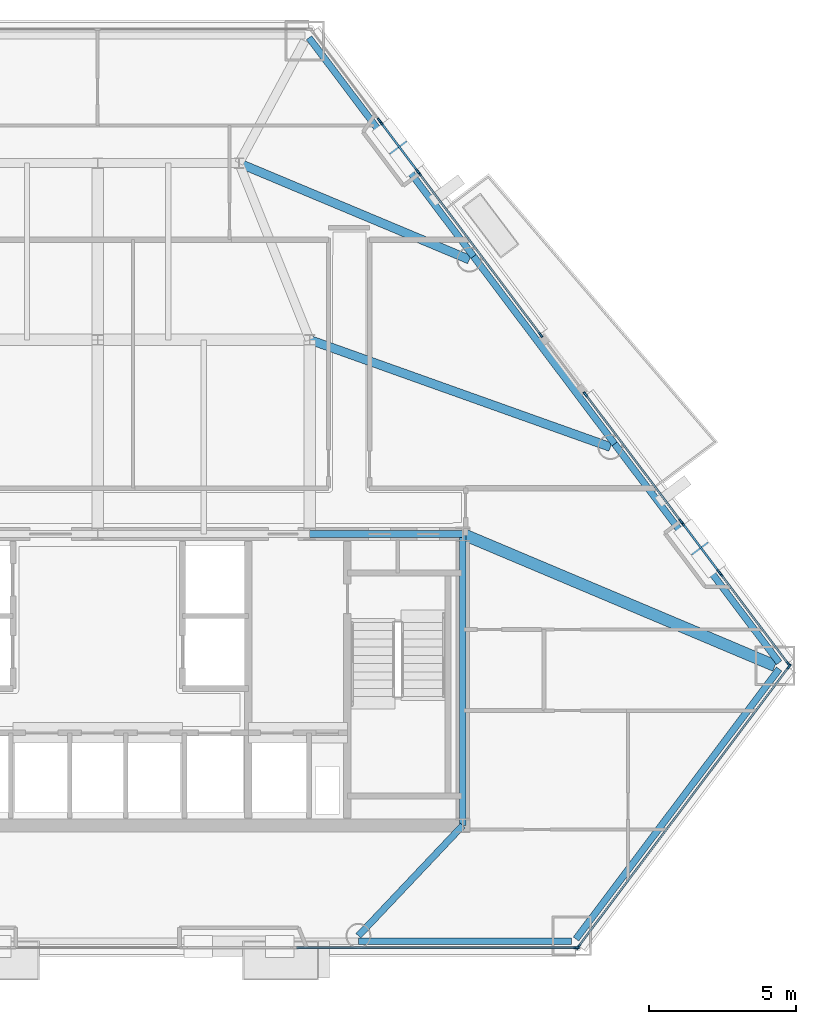
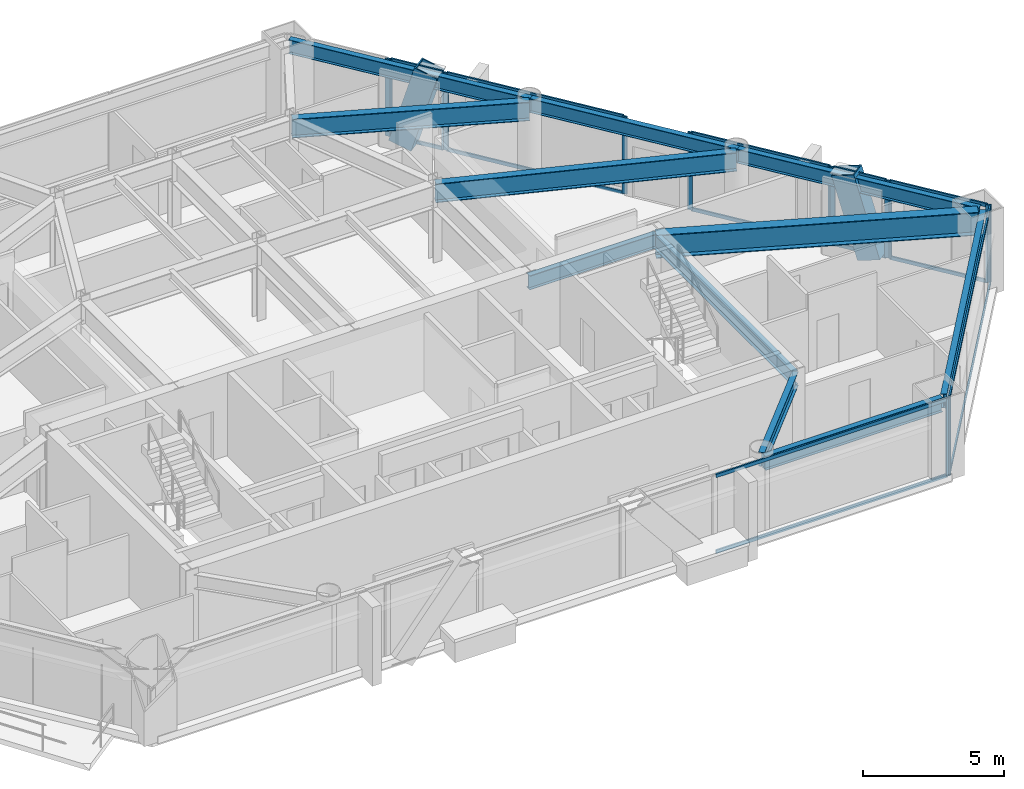
# One storey, part 4 of 11: 30 members, 11 beams, 8 elements without a shape of their own.
"""IFC4 building model written with IfcOpenShell, lengths in metres."""

from ifc_helpers import new_model, si_unit, direction, frame, origin, origin_2d, place, context, subcontext, project, spatial, rectangle, hollow_rectangle, i_section, extrude, material, layer, layer_set, material_profile, profile_set, type_object, element, aggregate, save


model = new_model("IFC4")

# Units and contexts
model_context = context("Model", 3, precision=1e-05, world=origin(), true_north=direction((0.0, 1.0)))
body_context = subcontext(model_context, "Body", "Model", "MODEL_VIEW")
ifc_project = project(units=[si_unit("LENGTHUNIT", "METRE"), si_unit("AREAUNIT", "SQUARE_METRE"), si_unit("VOLUMEUNIT", "CUBIC_METRE"), si_unit("PLANEANGLEUNIT", "RADIAN"), si_unit("MASSUNIT", "GRAM", prefix="KILO")], contexts=[model_context])

# Site, building, storey
site_placement = place(None, origin())
site = spatial("IfcSite", under=ifc_project, at=site_placement, CompositionType="ELEMENT")
building_placement = place(site_placement, origin())
building = spatial("IfcBuilding", under=site, at=building_placement, Name="Talgorran Terracotta Tower", CompositionType="ELEMENT")
storey_placement = place(building_placement, frame((0.0, 0.0, 68.39990234375)))
storey = spatial("IfcBuildingStorey", under=building, at=storey_placement, Name="L17", CompositionType="ELEMENT", Elevation=68.39990234375)

# Beams
ifc_material_1 = material(Name="Steel Grade 350 (350L0)", Category="steel")
ifc_material_profile_1 = material_profile(ifc_material_1, i_section(OverallWidth=0.39990234375, OverallDepth=1.0, WebThickness=0.01611328125, FlangeThickness=0.031005859375, at=origin_2d()), Name="1000WB296")
ifc_profile_set_1 = profile_set([ifc_material_profile_1], Name="Steel Grade 350 (350L0)")
beam_type_1 = type_object("IfcBeamType", Name="BM_1000WB296", PredefinedType="BEAM", material=ifc_profile_set_1)
beam_1_placement = place(storey_placement, frame((12.39990234375, -4.199951171875, 2.85009765625), z_axis=(0.921400833848, -0.388613565619, 0.0), x_axis=(0.388613565619, 0.921400833848, 0.0)))
element("IfcBeam", 1, at=beam_1_placement, inside=storey, type_object=beam_type_1, Name="L17 Floor Girder G18", PredefinedType="BEAM", context=body_context, shape_type="SweptSolid", body=[
    extrude(i_section(OverallWidth=0.39990234375, OverallDepth=1.0, WebThickness=0.01611328125, FlangeThickness=0.031005859375, at=origin_2d()), origin(), (0.0, 0.0, 1.0), 11.510009765625),
])
ifc_material_2 = material(Name="Steel S355 (300PLUS)", Category="steel")
ifc_material_profile_2 = material_profile(ifc_material_2, i_section(OverallWidth=0.300048828125, OverallDepth=0.81591796875, WebThickness=0.013916015625, FlangeThickness=0.028076171875, at=origin_2d()), Name="800WB192")
ifc_profile_set_2 = profile_set([ifc_material_profile_2], Name="Steel S355 (300PLUS)")
beam_type_2 = type_object("IfcBeamType", Name="BM_800WB192", PredefinedType="BEAM", material=ifc_profile_set_2)
beam_2_placement = place(storey_placement, frame((7.199951171875, 2.39990234375, 2.942138671875), z_axis=(0.941876792617, -0.335958490783, 0.0), x_axis=(0.335958490783, 0.941876792617, 0.0)))
element("IfcBeam", 2, at=beam_2_placement, inside=storey, type_object=beam_type_2, Name="L17 Floor Girder G07", PredefinedType="BEAM", context=body_context, shape_type="SweptSolid", body=[
    extrude(i_section(OverallWidth=0.300048828125, OverallDepth=0.81591796875, WebThickness=0.013916015625, FlangeThickness=0.028076171875, at=origin_2d()), origin(), (0.0, 0.0, 1.0), 10.845947265625),
])
beam_3_placement = place(storey_placement, frame((4.800048828125, 8.39990234375, 2.942138671875), z_axis=(0.922404506717, -0.386225227023, 0.0), x_axis=(0.386225227023, 0.922404506717, 0.0)))
element("IfcBeam", 3, at=beam_3_placement, inside=storey, type_object=beam_type_2, Name="L17 Floor Girder G14", PredefinedType="BEAM", context=body_context, shape_type="SweptSolid", body=[
    extrude(i_section(OverallWidth=0.300048828125, OverallDepth=0.81591796875, WebThickness=0.013916015625, FlangeThickness=0.028076171875, at=origin_2d()), origin(), (0.0, 0.0, 1.0), 8.482421875),
])
ifc_material_profile_3 = material_profile(ifc_material_2, i_section(OverallWidth=0.22900390625, OverallDepth=0.611572265625, WebThickness=0.011962890625, FlangeThickness=0.01953125, at=origin_2d()), Name="610UB125")
ifc_profile_set_3 = profile_set([ifc_material_profile_3], Name="Steel S355 (300PLUS)")
beam_type_3 = type_object("IfcBeamType", Name="BM_SP_610UB125", PredefinedType="SPANDREL", material=ifc_profile_set_3)
beam_4_placement = place(storey_placement, frame((8.8564453125, -18.026611328125, 3.044189453125), z_axis=(1.0, 0.0, 0.0), x_axis=(0.0, 1.0, 0.0)))
element("IfcBeam", 4, at=beam_4_placement, inside=storey, type_object=beam_type_3, Name="L17 Perimeter Spandrel Beam FC2-MC3", PredefinedType="SPANDREL", context=body_context, shape_type="SweptSolid", body=[
    extrude(i_section(OverallWidth=0.22900390625, OverallDepth=0.611572265625, WebThickness=0.011962890625, FlangeThickness=0.01953125, at=origin_2d()), origin(), (0.0, 0.0, 1.0), 7.24609375),
])
beam_5_placement = place(storey_placement, frame((16.246337890625, -17.954833984375, 3.044189453125), z_axis=(0.601237780209, 0.799070166913, 0.0), x_axis=(-0.799070166913, 0.601237780209, 0.0)))
element("IfcBeam", 5, at=beam_5_placement, inside=storey, type_object=beam_type_3, Name="L17 Perimeter Spandrel Beam MC3-MC4", PredefinedType="SPANDREL", context=body_context, shape_type="SweptSolid", body=[
    extrude(i_section(OverallWidth=0.22900390625, OverallDepth=0.611572265625, WebThickness=0.011962890625, FlangeThickness=0.01953125, at=origin_2d()), origin(), (0.0, 0.0, 1.0), 11.480712890625),
])
beam_6_placement = place(storey_placement, frame((23.14892578125, -8.564697265625, 3.044189453125), z_axis=(-0.601217758064, 0.799085231617, 0.0), x_axis=(-0.799085231617, -0.601217758064, 0.0)))
element("IfcBeam", 6, at=beam_6_placement, inside=storey, type_object=beam_type_3, Name="L17 Perimeter Spandrel Beam MC4-FC3", PredefinedType="SPANDREL", context=body_context, shape_type="SweptSolid", body=[
    extrude(i_section(OverallWidth=0.22900390625, OverallDepth=0.611572265625, WebThickness=0.011962890625, FlangeThickness=0.01953125, at=origin_2d()), origin(), (0.0, 0.0, 1.0), 9.297119140625),
])
beam_7_placement = place(storey_placement, frame((17.559326171875, -1.135498046875, 3.044189453125), z_axis=(-0.601259066115, 0.799054150489, 0.0), x_axis=(-0.799054150489, -0.601259066115, 0.0)))
element("IfcBeam", 7, at=beam_7_placement, inside=storey, type_object=beam_type_3, Name="L17 Perimeter Spandrel Beam FC3-FC4", PredefinedType="SPANDREL", context=body_context, shape_type="SweptSolid", body=[
    extrude(i_section(OverallWidth=0.22900390625, OverallDepth=0.611572265625, WebThickness=0.011962890625, FlangeThickness=0.01953125, at=origin_2d()), origin(), (0.0, 0.0, 1.0), 7.96875),
])
beam_8_placement = place(storey_placement, frame((12.76806640625, 5.23193359375, 3.044189453125), z_axis=(-0.601247141496, 0.799063123191, 0.0), x_axis=(-0.799063123191, -0.601247141496, 0.0)))
element("IfcBeam", 8, at=beam_8_placement, inside=storey, type_object=beam_type_3, Name="L17 Perimeter Spandrel Beam FC4-MC5", PredefinedType="SPANDREL", context=body_context, shape_type="SweptSolid", body=[
    extrude(i_section(OverallWidth=0.22900390625, OverallDepth=0.611572265625, WebThickness=0.011962890625, FlangeThickness=0.01953125, at=origin_2d()), origin(), (0.0, 0.0, 1.0), 9.297119140625),
])
beam_9_placement = place(storey_placement, frame((12.39990234375, -14.10009765625, 3.044189453125), z_axis=(-0.687137724954, -0.726527182523, 0.0), x_axis=(0.726527182523, -0.687137724954, 0.0)))
element("IfcBeam", 9, at=beam_9_placement, inside=storey, type_object=beam_type_3, Name="L17 South-East Core Tie Beam", PredefinedType="SPANDREL", context=body_context, shape_type="SweptSolid", body=[
    extrude(i_section(OverallWidth=0.22900390625, OverallDepth=0.611572265625, WebThickness=0.011962890625, FlangeThickness=0.01953125, at=origin_2d()), origin(), (0.0, 0.0, 1.0), 5.15673828125),
])
beam_10_placement = place(storey_placement, frame((12.39990234375, -14.10009765625, 3.044189453125), z_axis=(0.0, 1.0, 0.0), x_axis=(-1.0, 0.0, 0.0)))
element("IfcBeam", 10, at=beam_10_placement, inside=storey, type_object=beam_type_3, Name="L17 Core Frame Beam CFE", PredefinedType="SPANDREL", context=body_context, shape_type="SweptSolid", body=[
    extrude(i_section(OverallWidth=0.22900390625, OverallDepth=0.611572265625, WebThickness=0.011962890625, FlangeThickness=0.01953125, at=origin_2d()), origin(), (0.0, 0.0, 1.0), 9.900146484375),
])
beam_11_placement = place(storey_placement, frame((7.199951171875, -4.199951171875, 3.044189453125), z_axis=(1.0, 0.0, 0.0), x_axis=(0.0, 1.0, 0.0)))
element("IfcBeam", 11, at=beam_11_placement, inside=storey, type_object=beam_type_3, Name="L17 Core Frame Beam CFN4", PredefinedType="SPANDREL", context=body_context, shape_type="SweptSolid", body=[
    extrude(i_section(OverallWidth=0.22900390625, OverallDepth=0.611572265625, WebThickness=0.011962890625, FlangeThickness=0.01953125, at=origin_2d()), origin(), (0.0, 0.0, 1.0), 5.199951171875),
])

# Members
ifc_material_profile_4 = material_profile(ifc_material_1, hollow_rectangle(XDim=0.699951171875, YDim=0.89990234375, WallThickness=0.050048828125, at=origin_2d()), Name="WBOX900X700X50")
ifc_profile_set_4 = profile_set([ifc_material_profile_4], Name="Steel Grade 350 (350L0)")
member_type_1 = type_object("IfcMemberType", Name="MB_MEGA_900", PredefinedType="BRACE", material=ifc_profile_set_4)
for number, where, z_axis, x_axis, name in (
    (12, (20.759765625, -5.089599609375, -0.02490234375), (-0.169613959459, 0.225348197153, 0.959400487177), (-0.798972940561, -0.601366976356, 0.0), "L17 Exterior Face Mega-Brace MB-1 (NEL)"),
    (13, (9.910400390625, 9.32958984375, -0.02490234375), (0.169547047501, -0.225350829897, 0.959411695857), (0.799090303411, 0.601211017027, 0.0), "L17 Exterior Face Mega-Brace MB-1 (NEU)"),
):
    element("IfcMember", number, at=place(storey_placement, frame(where, z_axis=z_axis, x_axis=x_axis)), inside=storey, type_object=member_type_1, Name=name, PredefinedType="BRACE", context=body_context, shape_type="SweptSolid", body=[
        extrude(hollow_rectangle(XDim=0.699951171875, YDim=0.89990234375, WallThickness=0.050048828125, at=origin_2d()), origin(), (0.0, 0.0, 1.0), 3.543701171875),
    ])

# Curtain wall, member
ifc_material_3 = material(Name="Unitised Low-E Double Glazing", Category="glass")
ifc_layer = layer(ifc_material_3, 0.199951171875, Name="CW_SYS2_RES_LOW")
ifc_layer_set = layer_set([ifc_layer], Name="Unitised Low-E Double Glazing")
curtain_wall_type = type_object("IfcCurtainWallType", Name="CW_SYS2_RES_LOW", PredefinedType="NOTDEFINED", material=ifc_layer_set)
curtain_wall_1_placement = place(storey_placement, origin())
curtain_wall_1 = element("IfcCurtainWall", 14, at=curtain_wall_1_placement, inside=storey, type_object=curtain_wall_type, Name="CW-L17-F1E", PredefinedType="NOTDEFINED")
ifc_material_4 = material(Name="Architectural Aluminium 6063-T6", Category="aluminium")
ifc_material_profile_5 = material_profile(ifc_material_4, rectangle(XDim=0.06494140625, YDim=0.18505859375, at=origin_2d()), Name="CWM65X185")
ifc_profile_set_5 = profile_set([ifc_material_profile_5], Name="Architectural Aluminium 6063-T6")
member_type_2 = type_object("IfcMemberType", Name="MUL_65X185", PredefinedType="MULLION", material=ifc_profile_set_5)
member_1_placement = place(storey_placement, frame((16.26953125, -18.24658203125, 0.0), z_axis=(0.0, 0.0, 1.0), x_axis=(0.0, 1.0, 0.0)))
member_1 = element("IfcMember", 15, at=member_1_placement, type_object=member_type_2, Name="CW-L17-1E mullion 2", PredefinedType="MULLION", context=body_context, shape_type="SweptSolid", body=[
    extrude(rectangle(XDim=0.06494140625, YDim=0.18505859375, at=origin_2d()), origin(), (0.0, 0.0, 1.0), 3.35009765625),
])

# Curtain wall, members
curtain_wall_2_placement = place(storey_placement, origin())
curtain_wall_2 = element("IfcCurtainWall", 16, at=curtain_wall_2_placement, inside=storey, type_object=curtain_wall_type, Name="CW-L17-F2", PredefinedType="NOTDEFINED")
member_2_placement = place(storey_placement, frame((16.321533203125, -18.220703125, 0.0), z_axis=(0.0, 0.0, 1.0), x_axis=(-0.799066585102, 0.601242540556, 0.0)))
member_2 = element("IfcMember", 17, at=member_2_placement, type_object=member_type_2, Name="CW-L17-2 mullion 1", PredefinedType="MULLION", context=body_context, shape_type="SweptSolid", body=[
    extrude(rectangle(XDim=0.06494140625, YDim=0.18505859375, at=origin_2d()), origin(), (0.0, 0.0, 1.0), 3.35009765625),
])
member_3_placement = place(storey_placement, frame((23.486328125, -8.69873046875, 0.0), z_axis=(0.0, 0.0, 1.0), x_axis=(-0.799066585102, 0.601242540556, 0.0)))
member_3 = element("IfcMember", 18, at=member_3_placement, type_object=member_type_2, Name="CW-L17-2 mullion 2", PredefinedType="MULLION", context=body_context, shape_type="SweptSolid", body=[
    extrude(rectangle(XDim=0.06494140625, YDim=0.18505859375, at=origin_2d()), origin(), (0.0, 0.0, 1.0), 3.35009765625),
])

curtain_wall_3_placement = place(storey_placement, origin())
curtain_wall_3 = element("IfcCurtainWall", 19, at=curtain_wall_3_placement, inside=storey, type_object=curtain_wall_type, Name="CW-L17-F40", PredefinedType="NOTDEFINED")
member_4_placement = place(storey_placement, frame((23.462158203125, -8.61474609375, 0.0), z_axis=(0.0, 0.0, 1.0), x_axis=(-0.799060644957, -0.601250435077, 0.0)))
member_4 = element("IfcMember", 20, at=member_4_placement, type_object=member_type_2, Name="CW-L17-40 mullion 1", PredefinedType="MULLION", context=body_context, shape_type="SweptSolid", body=[
    extrude(rectangle(XDim=0.06494140625, YDim=0.18505859375, at=origin_2d()), origin(), (0.0, 0.0, 1.0), 3.35009765625),
])
member_5_placement = place(storey_placement, frame((21.1640625, -5.560302734375, 0.0), z_axis=(0.0, 0.0, 1.0), x_axis=(-0.799060644957, -0.601250435077, 0.0)))
member_5 = element("IfcMember", 21, at=member_5_placement, type_object=member_type_2, Name="CW-L17-40 mullion 2", PredefinedType="MULLION", context=body_context, shape_type="SweptSolid", body=[
    extrude(rectangle(XDim=0.06494140625, YDim=0.18505859375, at=origin_2d()), origin(), (0.0, 0.0, 1.0), 3.35009765625),
])

curtain_wall_4_placement = place(storey_placement, origin())
curtain_wall_4 = element("IfcCurtainWall", 22, at=curtain_wall_4_placement, inside=storey, type_object=curtain_wall_type, Name="CW-L17-F40B", PredefinedType="NOTDEFINED")
member_6_placement = place(storey_placement, frame((21.118896484375, -5.50048828125, 0.0), z_axis=(0.0, 0.0, 1.0), x_axis=(-0.79906266779, -0.601247746727, 0.0)))
member_6 = element("IfcMember", 23, at=member_6_placement, type_object=member_type_2, Name="CW-L17-40B mullion 1", PredefinedType="MULLION", context=body_context, shape_type="SweptSolid", body=[
    extrude(rectangle(XDim=0.06494140625, YDim=0.18505859375, at=origin_2d()), origin(), (0.0, 0.0, 1.0), 3.35009765625),
])
member_7_placement = place(storey_placement, frame((19.863525390625, -3.83203125, 0.0), z_axis=(0.0, 0.0, 1.0), x_axis=(-0.79906266779, -0.601247746727, 0.0)))
member_7 = element("IfcMember", 24, at=member_7_placement, type_object=member_type_2, Name="CW-L17-40B mullion 2", PredefinedType="MULLION", context=body_context, shape_type="SweptSolid", body=[
    extrude(rectangle(XDim=0.06494140625, YDim=0.18505859375, at=origin_2d()), origin(), (0.0, 0.0, 1.0), 3.35009765625),
])

curtain_wall_5_placement = place(storey_placement, origin())
curtain_wall_5 = element("IfcCurtainWall", 25, at=curtain_wall_5_placement, inside=storey, type_object=curtain_wall_type, Name="CW-L17-F40C", PredefinedType="NOTDEFINED")
member_8_placement = place(storey_placement, frame((19.818359375, -3.77197265625, 0.0), z_axis=(0.0, 0.0, 1.0), x_axis=(-0.799064930363, -0.601244739739, 0.0)))
member_8 = element("IfcMember", 26, at=member_8_placement, type_object=member_type_2, Name="CW-L17-40C mullion 1", PredefinedType="MULLION", context=body_context, shape_type="SweptSolid", body=[
    extrude(rectangle(XDim=0.06494140625, YDim=0.18505859375, at=origin_2d()), origin(), (0.0, 0.0, 1.0), 3.35009765625),
])
member_9_placement = place(storey_placement, frame((16.567138671875, 0.549072265625, 0.0), z_axis=(0.0, 0.0, 1.0), x_axis=(-0.799064930363, -0.601244739739, 0.0)))
member_9 = element("IfcMember", 27, at=member_9_placement, type_object=member_type_2, Name="CW-L17-40C mullion 2", PredefinedType="MULLION", context=body_context, shape_type="SweptSolid", body=[
    extrude(rectangle(XDim=0.06494140625, YDim=0.18505859375, at=origin_2d()), origin(), (0.0, 0.0, 1.0), 3.35009765625),
])

curtain_wall_6_placement = place(storey_placement, origin())
curtain_wall_6 = element("IfcCurtainWall", 28, at=curtain_wall_6_placement, inside=storey, type_object=curtain_wall_type, Name="CW-L17-F41", PredefinedType="NOTDEFINED")
member_10_placement = place(storey_placement, frame((15.049072265625, 2.566650390625, 0.0), z_axis=(0.0, 0.0, 1.0), x_axis=(-0.799061833232, -0.60124885586, 0.0)))
member_10 = element("IfcMember", 29, at=member_10_placement, type_object=member_type_2, Name="CW-L17-41 mullion 1", PredefinedType="MULLION", context=body_context, shape_type="SweptSolid", body=[
    extrude(rectangle(XDim=0.06494140625, YDim=0.18505859375, at=origin_2d()), origin(), (0.0, 0.0, 1.0), 3.35009765625),
])
member_11_placement = place(storey_placement, frame((10.91552734375, 8.06005859375, 0.0), z_axis=(0.0, 0.0, 1.0), x_axis=(-0.799061833232, -0.60124885586, 0.0)))
member_11 = element("IfcMember", 30, at=member_11_placement, type_object=member_type_2, Name="CW-L17-41 mullion 2", PredefinedType="MULLION", context=body_context, shape_type="SweptSolid", body=[
    extrude(rectangle(XDim=0.06494140625, YDim=0.18505859375, at=origin_2d()), origin(), (0.0, 0.0, 1.0), 3.35009765625),
])

curtain_wall_7_placement = place(storey_placement, origin())
curtain_wall_7 = element("IfcCurtainWall", 31, at=curtain_wall_7_placement, inside=storey, type_object=curtain_wall_type, Name="CW-L17-F41B", PredefinedType="NOTDEFINED")
member_12_placement = place(storey_placement, frame((10.870361328125, 8.1201171875, 0.0), z_axis=(0.0, 0.0, 1.0), x_axis=(-0.79906266779, -0.601247746727, 0.0)))
member_12 = element("IfcMember", 32, at=member_12_placement, type_object=member_type_2, Name="CW-L17-41B mullion 1", PredefinedType="MULLION", context=body_context, shape_type="SweptSolid", body=[
    extrude(rectangle(XDim=0.06494140625, YDim=0.18505859375, at=origin_2d()), origin(), (0.0, 0.0, 1.0), 3.35009765625),
])
member_13_placement = place(storey_placement, frame((9.614990234375, 9.78857421875, 0.0), z_axis=(0.0, 0.0, 1.0), x_axis=(-0.79906266779, -0.601247746727, 0.0)))
member_13 = element("IfcMember", 33, at=member_13_placement, type_object=member_type_2, Name="CW-L17-41B mullion 2", PredefinedType="MULLION", context=body_context, shape_type="SweptSolid", body=[
    extrude(rectangle(XDim=0.06494140625, YDim=0.18505859375, at=origin_2d()), origin(), (0.0, 0.0, 1.0), 3.35009765625),
])

# Curtain wall, member
curtain_wall_8_placement = place(storey_placement, origin())
curtain_wall_8 = element("IfcCurtainWall", 34, at=curtain_wall_8_placement, inside=storey, type_object=curtain_wall_type, Name="CW-L17-F41C", PredefinedType="NOTDEFINED")
member_14_placement = place(storey_placement, frame((9.56982421875, 9.848388671875, 0.0), z_axis=(0.0, 0.0, 1.0), x_axis=(-0.799061287146, -0.601249581609, 0.0)))
member_14 = element("IfcMember", 35, at=member_14_placement, type_object=member_type_2, Name="CW-L17-41C mullion 1", PredefinedType="MULLION", context=body_context, shape_type="SweptSolid", body=[
    extrude(rectangle(XDim=0.06494140625, YDim=0.18505859375, at=origin_2d()), origin(), (0.0, 0.0, 1.0), 3.35009765625),
])
aggregate(curtain_wall_8, [member_14])

# Member
ifc_material_profile_6 = material_profile(ifc_material_4, rectangle(XDim=0.06494140625, YDim=0.14990234375, at=origin_2d()), Name="CWT65X150")
ifc_profile_set_6 = profile_set([ifc_material_profile_6], Name="Architectural Aluminium 6063-T6")
member_type_3 = type_object("IfcMemberType", Name="TRN_65X150", PredefinedType="USERDEFINED", material=ifc_profile_set_6)
member_15_placement = place(storey_placement, frame((6.756103515625, -18.24658203125, 0.03271484375), z_axis=(1.0, 0.0, 0.0), x_axis=(0.0, 1.0, 0.0)))
member_15 = element("IfcMember", 36, at=member_15_placement, type_object=member_type_3, Name="CW-L17-1E transom 1.1", ObjectType="TRANSOM", PredefinedType="USERDEFINED", context=body_context, shape_type="SweptSolid", body=[
    extrude(rectangle(XDim=0.06494140625, YDim=0.14990234375, at=origin_2d()), origin(), (0.0, 0.0, 1.0), 9.48095703125),
])

member_16_placement = place(storey_placement, frame((6.756103515625, -18.24658203125, 3.317626953125), z_axis=(1.0, 0.0, 0.0), x_axis=(0.0, 1.0, 0.0)))
member_16 = element("IfcMember", 37, at=member_16_placement, type_object=member_type_3, Name="CW-L17-1E transom 1.2", ObjectType="TRANSOM", PredefinedType="USERDEFINED", context=body_context, shape_type="SweptSolid", body=[
    extrude(rectangle(XDim=0.06494140625, YDim=0.14990234375, at=origin_2d()), origin(), (0.0, 0.0, 1.0), 9.48095703125),
])

aggregate(curtain_wall_1, [member_1, member_15, member_16])

member_17_placement = place(storey_placement, frame((16.341064453125, -18.19482421875, 0.03271484375), z_axis=(0.601255042724, 0.799057177929, 0.0), x_axis=(-0.799057177929, 0.601255042724, 0.0)))
member_17 = element("IfcMember", 38, at=member_17_placement, type_object=member_type_3, Name="CW-L17-2 transom 1.1", ObjectType="TRANSOM", PredefinedType="USERDEFINED", context=body_context, shape_type="SweptSolid", body=[
    extrude(rectangle(XDim=0.06494140625, YDim=0.14990234375, at=origin_2d()), origin(), (0.0, 0.0, 1.0), 11.851318359375),
])

member_18_placement = place(storey_placement, frame((16.341064453125, -18.19482421875, 3.317626953125), z_axis=(0.601255042724, 0.799057177929, 0.0), x_axis=(-0.799057177929, 0.601255042724, 0.0)))
member_18 = element("IfcMember", 39, at=member_18_placement, type_object=member_type_3, Name="CW-L17-2 transom 1.2", ObjectType="TRANSOM", PredefinedType="USERDEFINED", context=body_context, shape_type="SweptSolid", body=[
    extrude(rectangle(XDim=0.06494140625, YDim=0.14990234375, at=origin_2d()), origin(), (0.0, 0.0, 1.0), 11.851318359375),
])

aggregate(curtain_wall_2, [member_2, member_3, member_17, member_18])

member_19_placement = place(storey_placement, frame((23.442626953125, -8.5888671875, 0.03271484375), z_axis=(-0.601226047812, 0.799078994488, 0.0), x_axis=(-0.799078994488, -0.601226047812, 0.0)))
member_19 = element("IfcMember", 40, at=member_19_placement, type_object=member_type_3, Name="CW-L17-40 transom 1.1", ObjectType="TRANSOM", PredefinedType="USERDEFINED", context=body_context, shape_type="SweptSolid", body=[
    extrude(rectangle(XDim=0.06494140625, YDim=0.14990234375, at=origin_2d()), origin(), (0.0, 0.0, 1.0), 3.75732421875),
])

member_20_placement = place(storey_placement, frame((23.442626953125, -8.5888671875, 3.317626953125), z_axis=(-0.601226047812, 0.799078994488, 0.0), x_axis=(-0.799078994488, -0.601226047812, 0.0)))
member_20 = element("IfcMember", 41, at=member_20_placement, type_object=member_type_3, Name="CW-L17-40 transom 1.2", ObjectType="TRANSOM", PredefinedType="USERDEFINED", context=body_context, shape_type="SweptSolid", body=[
    extrude(rectangle(XDim=0.06494140625, YDim=0.14990234375, at=origin_2d()), origin(), (0.0, 0.0, 1.0), 3.75732421875),
])

aggregate(curtain_wall_3, [member_4, member_5, member_19, member_20])

member_21_placement = place(storey_placement, frame((21.099365234375, -5.474365234375, 0.03271484375), z_axis=(-0.601254389145, 0.799057669717, 0.0), x_axis=(-0.799057669717, -0.601254389145, 0.0)))
member_21 = element("IfcMember", 42, at=member_21_placement, type_object=member_type_3, Name="CW-L17-40B transom 1.1", ObjectType="TRANSOM", PredefinedType="USERDEFINED", context=body_context, shape_type="SweptSolid", body=[
    extrude(rectangle(XDim=0.06494140625, YDim=0.14990234375, at=origin_2d()), origin(), (0.0, 0.0, 1.0), 2.02294921875),
])

member_22_placement = place(storey_placement, frame((21.099365234375, -5.474365234375, 3.317626953125), z_axis=(-0.601254389145, 0.799057669717, 0.0), x_axis=(-0.799057669717, -0.601254389145, 0.0)))
member_22 = element("IfcMember", 43, at=member_22_placement, type_object=member_type_3, Name="CW-L17-40B transom 1.2", ObjectType="TRANSOM", PredefinedType="USERDEFINED", context=body_context, shape_type="SweptSolid", body=[
    extrude(rectangle(XDim=0.06494140625, YDim=0.14990234375, at=origin_2d()), origin(), (0.0, 0.0, 1.0), 2.02294921875),
])

aggregate(curtain_wall_4, [member_6, member_7, member_21, member_22])

member_23_placement = place(storey_placement, frame((19.798828125, -3.74609375, 0.03271484375), z_axis=(-0.601242248288, 0.799066805013, 0.0), x_axis=(-0.799066805013, -0.601242248288, 0.0)))
member_23 = element("IfcMember", 44, at=member_23_placement, type_object=member_type_3, Name="CW-L17-40C transom 1.1", ObjectType="TRANSOM", PredefinedType="USERDEFINED", context=body_context, shape_type="SweptSolid", body=[
    extrude(rectangle(XDim=0.06494140625, YDim=0.14990234375, at=origin_2d()), origin(), (0.0, 0.0, 1.0), 5.342529296875),
])

member_24_placement = place(storey_placement, frame((19.798828125, -3.74609375, 3.317626953125), z_axis=(-0.601242248288, 0.799066805013, 0.0), x_axis=(-0.799066805013, -0.601242248288, 0.0)))
member_24 = element("IfcMember", 45, at=member_24_placement, type_object=member_type_3, Name="CW-L17-40C transom 1.2", ObjectType="TRANSOM", PredefinedType="USERDEFINED", context=body_context, shape_type="SweptSolid", body=[
    extrude(rectangle(XDim=0.06494140625, YDim=0.14990234375, at=origin_2d()), origin(), (0.0, 0.0, 1.0), 5.342529296875),
])

aggregate(curtain_wall_5, [member_8, member_9, member_23, member_24])

member_25_placement = place(storey_placement, frame((15.029296875, 2.592529296875, 0.03271484375), z_axis=(-0.601221101988, 0.799082715696, 0.0), x_axis=(-0.799082715696, -0.601221101988, 0.0)))
member_25 = element("IfcMember", 46, at=member_25_placement, type_object=member_type_3, Name="CW-L17-41 transom 1.1", ObjectType="TRANSOM", PredefinedType="USERDEFINED", context=body_context, shape_type="SweptSolid", body=[
    extrude(rectangle(XDim=0.06494140625, YDim=0.14990234375, at=origin_2d()), origin(), (0.0, 0.0, 1.0), 6.809814453125),
])

member_26_placement = place(storey_placement, frame((15.029296875, 2.592529296875, 3.317626953125), z_axis=(-0.601221101988, 0.799082715696, 0.0), x_axis=(-0.799082715696, -0.601221101988, 0.0)))
member_26 = element("IfcMember", 47, at=member_26_placement, type_object=member_type_3, Name="CW-L17-41 transom 1.2", ObjectType="TRANSOM", PredefinedType="USERDEFINED", context=body_context, shape_type="SweptSolid", body=[
    extrude(rectangle(XDim=0.06494140625, YDim=0.14990234375, at=origin_2d()), origin(), (0.0, 0.0, 1.0), 6.809814453125),
])

aggregate(curtain_wall_6, [member_10, member_11, member_25, member_26])

member_27_placement = place(storey_placement, frame((10.850830078125, 8.14599609375, 0.03271484375), z_axis=(-0.601254389145, 0.799057669717, 0.0), x_axis=(-0.799057669717, -0.601254389145, 0.0)))
member_27 = element("IfcMember", 48, at=member_27_placement, type_object=member_type_3, Name="CW-L17-41B transom 1.1", ObjectType="TRANSOM", PredefinedType="USERDEFINED", context=body_context, shape_type="SweptSolid", body=[
    extrude(rectangle(XDim=0.06494140625, YDim=0.14990234375, at=origin_2d()), origin(), (0.0, 0.0, 1.0), 2.02294921875),
])

member_28_placement = place(storey_placement, frame((10.850830078125, 8.14599609375, 3.317626953125), z_axis=(-0.601254389145, 0.799057669717, 0.0), x_axis=(-0.799057669717, -0.601254389145, 0.0)))
member_28 = element("IfcMember", 49, at=member_28_placement, type_object=member_type_3, Name="CW-L17-41B transom 1.2", ObjectType="TRANSOM", PredefinedType="USERDEFINED", context=body_context, shape_type="SweptSolid", body=[
    extrude(rectangle(XDim=0.06494140625, YDim=0.14990234375, at=origin_2d()), origin(), (0.0, 0.0, 1.0), 2.02294921875),
])

aggregate(curtain_wall_7, [member_12, member_13, member_27, member_28])

save(model, "model.ifc")
